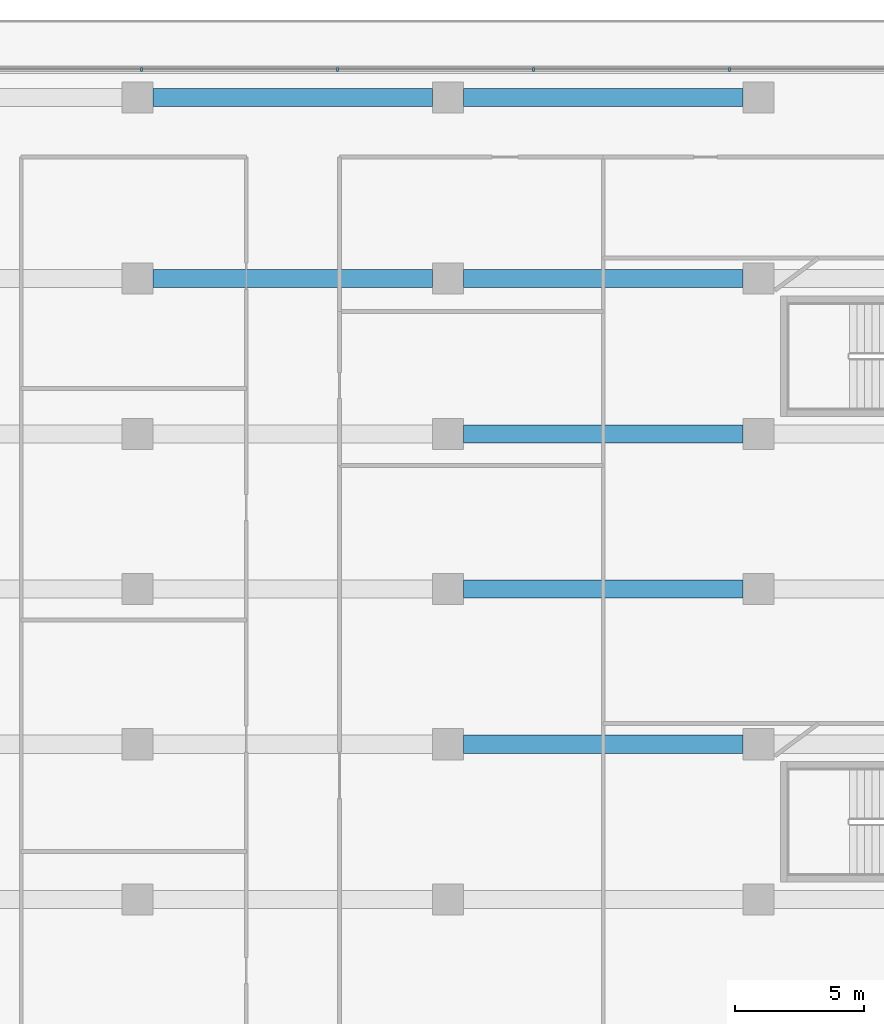
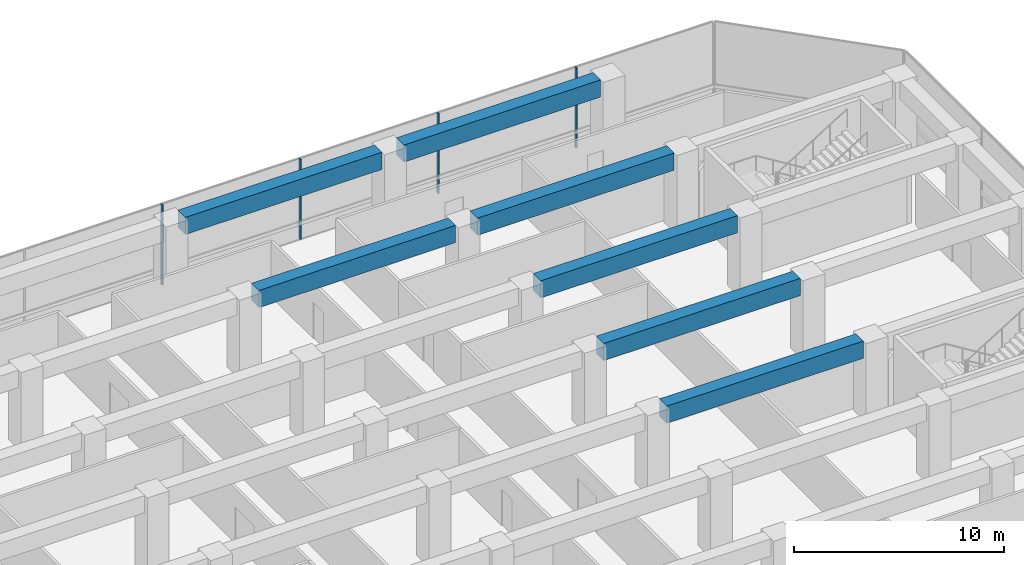
# One storey, part 23 of 40: 7 beams, 4 members, 1 element without a shape of its own.
"""IFC4 building model written with IfcOpenShell, lengths in metres."""

from ifc_helpers import new_model, si_unit, direction, frame, origin, origin_2d, place, context, subcontext, project, spatial, rectangle, extrude, material, layer, layer_set, material_profile, profile_set, type_object, element, aggregate, save


model = new_model("IFC4")

# Units and contexts
model_context = context("Model", 3, precision=1e-05, world=origin(), true_north=direction((0.0, 1.0)))
body_context = subcontext(model_context, "Body", "Model", "MODEL_VIEW")
ifc_project = project(units=[si_unit("LENGTHUNIT", "METRE"), si_unit("AREAUNIT", "SQUARE_METRE"), si_unit("VOLUMEUNIT", "CUBIC_METRE"), si_unit("PLANEANGLEUNIT", "RADIAN"), si_unit("MASSUNIT", "GRAM", prefix="KILO")], contexts=[model_context])

# Site, building, storey
site_placement = place(None, origin())
site = spatial("IfcSite", under=ifc_project, at=site_placement, CompositionType="ELEMENT")
building_placement = place(site_placement, origin())
building = spatial("IfcBuilding", under=site, at=building_placement, Name="Welwitschia Terrace Campus", CompositionType="ELEMENT")
storey_placement = place(building_placement, frame((0.0, 0.0, 6.0)))
storey = spatial("IfcBuildingStorey", under=building, at=storey_placement, Name="L01", CompositionType="ELEMENT", Elevation=6.0)

# Beams
ifc_material_1 = material(Name="Concrete C60/75", Category="concrete")
ifc_material_profile_1 = material_profile(ifc_material_1, rectangle(XDim=0.699951171875, YDim=1.0, at=origin_2d()))
ifc_profile_set_1 = profile_set([ifc_material_profile_1], Name="Concrete C60/75")
beam_type = type_object("IfcBeamType", Name="Base block beam 700x1000", PredefinedType="BEAM", material=ifc_profile_set_1)
for number, where, z_axis, x_axis, name in (
    (1, (72.6005859375, 44.0, 4.10009765625), (1.0, 0.0, 0.0), (0.0, 1.0, 0.0), "Beam BB1"),
    (2, (72.6005859375, 50.0, 4.10009765625), (1.0, 0.0, 0.0), (0.0, 1.0, 0.0), "Beam BB1"),
    (3, (72.6005859375, 56.0, 4.10009765625), (1.0, 0.0, 0.0), (0.0, 1.0, 0.0), "Beam BB1"),
    (4, (60.6005859375, 62.0, 4.10009765625), (1.0, 0.0, 0.0), (0.0, 1.0, 0.0), "Beam BB1"),
    (5, (72.6005859375, 62.0, 4.10009765625), (1.0, 0.0, 0.0), (0.0, 1.0, 0.0), "Beam BB1"),
    (6, (60.6005859375, 69.0, 4.10009765625), (1.0, 0.0, 0.0), (0.0, 1.0, 0.0), "Beam BB1"),
    (7, (72.6005859375, 69.0, 4.10009765625), (1.0, 0.0, 0.0), (0.0, 1.0, 0.0), "Beam BB1"),
):
    element("IfcBeam", number, at=place(storey_placement, frame(where, z_axis=z_axis, x_axis=x_axis)), inside=storey, type_object=beam_type, Name=name, PredefinedType="BEAM", context=body_context, shape_type="SweptSolid", body=[
        extrude(rectangle(XDim=0.699951171875, YDim=1.0, at=origin_2d()), origin(), (0.0, 0.0, 1.0), 10.798828125),
    ])

# Curtain wall, members
ifc_material_2 = material(Name="Bronze anodised aluminium", Category="aluminium")
ifc_layer = layer(ifc_material_2, 0.14990234375)
ifc_layer_set = layer_set([ifc_layer], Name="Bronze anodised aluminium")
curtain_wall_type = type_object("IfcCurtainWallType", Name="Curtain wall CW1 podium 7500", PredefinedType="NOTDEFINED", material=ifc_layer_set)
curtain_wall_placement = place(storey_placement, origin())
curtain_wall = element("IfcCurtainWall", 8, at=curtain_wall_placement, inside=storey, type_object=curtain_wall_type, Name="CW L01.4.0", PredefinedType="NOTDEFINED")
ifc_material_3 = material(Name="Bronze anodised aluminium", Category="aluminium")
ifc_material_profile_2 = material_profile(ifc_material_3, rectangle(XDim=0.14990234375, YDim=0.080078125, at=origin_2d()))
ifc_profile_set_2 = profile_set([ifc_material_profile_2], Name="Bronze anodised aluminium")
member_type = type_object("IfcMemberType", Name="Mullion 80x150", PredefinedType="MULLION", material=ifc_profile_set_2)
member_1_placement = place(storey_placement, frame((82.87451171875, 70.0849609375, 0.0), z_axis=(0.0, 0.0, 1.0), x_axis=(0.0, -1.0, 0.0)))
member_1 = element("IfcMember", 9, at=member_1_placement, type_object=member_type, Name="Mullion L01.4.0.1", PredefinedType="MULLION", context=body_context, shape_type="SweptSolid", body=[
    extrude(rectangle(XDim=0.14990234375, YDim=0.080078125, at=origin_2d()), origin(), (0.0, 0.0, 1.0), 4.64990234375),
])
member_2_placement = place(storey_placement, frame((75.299560546875, 70.0849609375, 0.0), z_axis=(0.0, 0.0, 1.0), x_axis=(0.0, -1.0, 0.0)))
member_2 = element("IfcMember", 10, at=member_2_placement, type_object=member_type, Name="Mullion L01.4.0.2", PredefinedType="MULLION", context=body_context, shape_type="SweptSolid", body=[
    extrude(rectangle(XDim=0.14990234375, YDim=0.080078125, at=origin_2d()), origin(), (0.0, 0.0, 1.0), 4.64990234375),
])
member_3_placement = place(storey_placement, frame((67.724609375, 70.0849609375, 0.0), z_axis=(0.0, 0.0, 1.0), x_axis=(0.0, -1.0, 0.0)))
member_3 = element("IfcMember", 11, at=member_3_placement, type_object=member_type, Name="Mullion L01.4.0.3", PredefinedType="MULLION", context=body_context, shape_type="SweptSolid", body=[
    extrude(rectangle(XDim=0.14990234375, YDim=0.080078125, at=origin_2d()), origin(), (0.0, 0.0, 1.0), 4.64990234375),
])
member_4_placement = place(storey_placement, frame((60.14990234375, 70.0849609375, 0.0), z_axis=(0.0, 0.0, 1.0), x_axis=(0.0, -1.0, 0.0)))
member_4 = element("IfcMember", 12, at=member_4_placement, type_object=member_type, Name="Mullion L01.4.0.4", PredefinedType="MULLION", context=body_context, shape_type="SweptSolid", body=[
    extrude(rectangle(XDim=0.14990234375, YDim=0.080078125, at=origin_2d()), origin(), (0.0, 0.0, 1.0), 4.64990234375),
])
aggregate(curtain_wall, [member_1, member_2, member_3, member_4])

save(model, "model.ifc")
